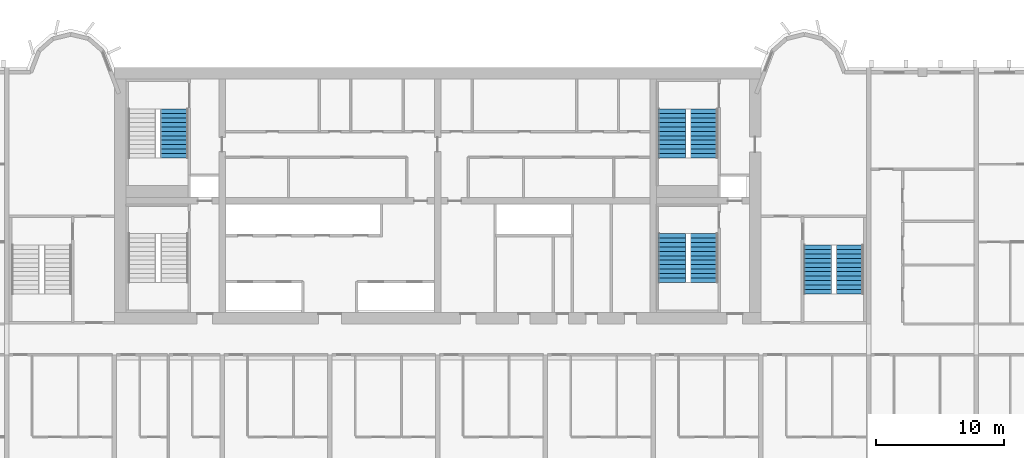
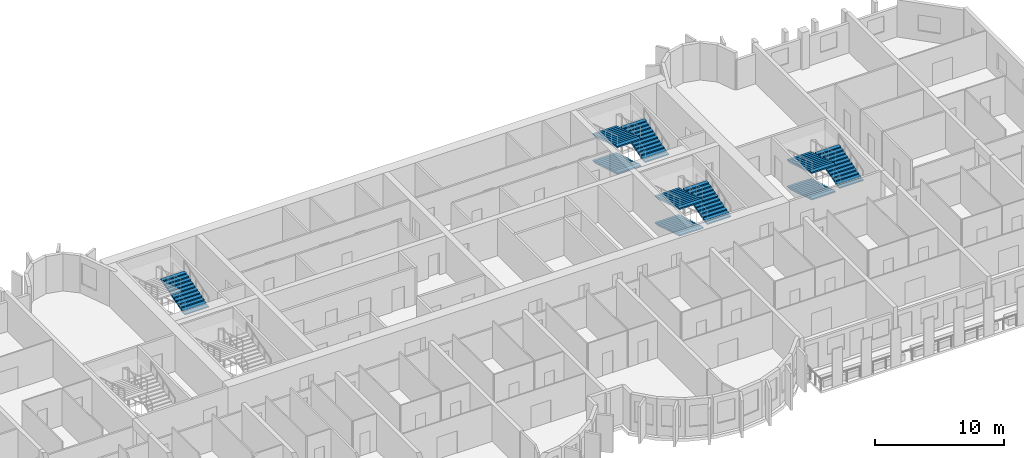
# One storey, part 12 of 15: 10 stair flights, 4 elements without a shape of their own.
"""IFC4 building model written with IfcOpenShell, lengths in metres."""

from ifc_helpers import new_model, si_unit, direction, frame, origin, place, context, subcontext, project, spatial, polyline, outline, extrude, source, transform, mapped, material, type_object, element, aggregate, save


model = new_model("IFC4")

# Units and contexts
model_context = context("Model", 3, precision=1e-05, world=origin(), true_north=direction((0.0, 1.0)))
body_context = subcontext(model_context, "Body", "Model", "MODEL_VIEW")
ifc_project = project(units=[si_unit("LENGTHUNIT", "METRE"), si_unit("AREAUNIT", "SQUARE_METRE"), si_unit("VOLUMEUNIT", "CUBIC_METRE"), si_unit("PLANEANGLEUNIT", "RADIAN"), si_unit("MASSUNIT", "GRAM", prefix="KILO")], contexts=[model_context])

# Site, building, storey
site_placement = place(None, origin())
site = spatial("IfcSite", under=ifc_project, at=site_placement, CompositionType="ELEMENT")
building_placement = place(site_placement, origin())
building = spatial("IfcBuilding", under=site, at=building_placement, Name="Vanashikhar Sky Hotel", CompositionType="ELEMENT")
storey_placement = place(building_placement, frame((0.0, 0.0, 133.199951171875)))
storey = spatial("IfcBuildingStorey", under=building, at=storey_placement, Name="L32", CompositionType="ELEMENT", Elevation=133.199951171875)

# Stair, stair flights
ifc_material = material(Name="Concrete M40", Category="concrete")
stair_type = type_object("IfcStairType", Name="Exit stair 2150", PredefinedType="DOUBLE_RETURN_STAIR", material=ifc_material)
stair_1_placement = place(storey_placement, origin())
stair_1 = element("IfcStair", 1, at=stair_1_placement, inside=storey, type_object=stair_type, Name="L32 Exit stair 2", PredefinedType="DOUBLE_RETURN_STAIR")
stair_flight_type = type_object("IfcStairFlightType", Name="Stair flight 2150", PredefinedType="STRAIGHT", material=ifc_material)
shared_shape = source(origin(), body_context, "Body", "SweptSolid", [
    extrude(outline(polyline([(0.0, 0.0), (0.0, 0.10546875), (0.345458984375, 0.10546875), (0.345458984375, 0.211181640625), (0.69091796875, 0.211181640625), (0.69091796875, 0.316650390625), (1.036376953125, 0.316650390625), (1.036376953125, 0.422119140625), (1.3818359375, 0.422119140625), (1.3818359375, 0.52783203125), (1.727294921875, 0.52783203125), (1.727294921875, 0.63330078125), (2.07275390625, 0.63330078125), (2.07275390625, 0.73876953125), (2.418212890625, 0.73876953125), (2.418212890625, 0.844482421875), (2.763671875, 0.844482421875), (2.763671875, 0.949951171875), (3.109130859375, 0.949951171875), (3.109130859375, 1.0556640625), (3.45458984375, 1.0556640625), (3.45458984375, 1.1611328125), (3.800048828125, 1.1611328125), (3.800048828125, 1.2666015625), (3.800048828125, 1.035400390625), (0.4111328125, 0.0), (0.0, 0.0)])), frame((0.0, 1.074951171875, 0.0), z_axis=(0.0, -1.0, 0.0), x_axis=(1.0, 0.0, 0.0)), (0.0, 0.0, 1.0), 2.14990234375),
])
stair_flight_1_placement = place(storey_placement, frame((68.675048828125, 29.050048828125, 0.0), z_axis=(0.0, 0.0, 1.0), x_axis=(0.0, -1.0, 0.0)))
stair_flight_1 = element("IfcStairFlight", 2, at=stair_flight_1_placement, type_object=stair_flight_type, Name="ST-C2 flight 1", NumberOfRisers=12, NumberOfTreads=11, PredefinedType="STRAIGHT", RiserHeight=0.105555556, TreadLength=0.345454545, context=body_context, shape_type="MappedRepresentation", body=[
    mapped(shared_shape, transform((0.0, 0.0, 0.0), scale=1.0)),
])
stair_flight_2_placement = place(storey_placement, frame((71.175048828125, 25.25, 1.2666015625), z_axis=(0.0, 0.0, 1.0), x_axis=(0.0, 1.0, 0.0)))
stair_flight_2 = element("IfcStairFlight", 3, at=stair_flight_2_placement, type_object=stair_flight_type, Name="ST-C2 flight 2", NumberOfRisers=12, NumberOfTreads=11, PredefinedType="STRAIGHT", RiserHeight=0.105555556, TreadLength=0.345454545, context=body_context, shape_type="MappedRepresentation", body=[
    mapped(shared_shape, transform((0.0, 0.0, 0.0), scale=1.0)),
])
stair_flight_3_placement = place(storey_placement, frame((68.675048828125, 29.050048828125, 2.533447265625), z_axis=(0.0, 0.0, 1.0), x_axis=(0.0, -1.0, 0.0)))
stair_flight_3 = element("IfcStairFlight", 4, at=stair_flight_3_placement, type_object=stair_flight_type, Name="ST-C2 flight 3", NumberOfRisers=12, NumberOfTreads=11, PredefinedType="STRAIGHT", RiserHeight=0.105555556, TreadLength=0.345454545, context=body_context, shape_type="MappedRepresentation", body=[
    mapped(shared_shape, transform((0.0, 0.0, 0.0), scale=1.0)),
])
aggregate(stair_1, [stair_flight_1, stair_flight_2, stair_flight_3])

stair_2_placement = place(storey_placement, origin())
stair_2 = element("IfcStair", 5, at=stair_2_placement, inside=storey, type_object=stair_type, Name="L32 Exit stair 4", PredefinedType="DOUBLE_RETURN_STAIR")
stair_flight_4_placement = place(storey_placement, frame((80.02490234375, 28.14990234375, 0.0), z_axis=(0.0, 0.0, 1.0), x_axis=(0.0, -1.0, 0.0)))
stair_flight_4 = element("IfcStairFlight", 6, at=stair_flight_4_placement, type_object=stair_flight_type, Name="ST-E flight 1", NumberOfRisers=12, NumberOfTreads=11, PredefinedType="STRAIGHT", RiserHeight=0.105555556, TreadLength=0.345454545, context=body_context, shape_type="MappedRepresentation", body=[
    mapped(shared_shape, transform((0.0, 0.0, 0.0), scale=1.0)),
])
stair_flight_5_placement = place(storey_placement, frame((82.52490234375, 24.35009765625, 1.2666015625), z_axis=(0.0, 0.0, 1.0), x_axis=(0.0, 1.0, 0.0)))
stair_flight_5 = element("IfcStairFlight", 7, at=stair_flight_5_placement, type_object=stair_flight_type, Name="ST-E flight 2", NumberOfRisers=12, NumberOfTreads=11, PredefinedType="STRAIGHT", RiserHeight=0.105555556, TreadLength=0.345454545, context=body_context, shape_type="MappedRepresentation", body=[
    mapped(shared_shape, transform((0.0, 0.0, 0.0), scale=1.0)),
])
stair_flight_6_placement = place(storey_placement, frame((80.02490234375, 28.14990234375, 2.533447265625), z_axis=(0.0, 0.0, 1.0), x_axis=(0.0, -1.0, 0.0)))
stair_flight_6 = element("IfcStairFlight", 8, at=stair_flight_6_placement, type_object=stair_flight_type, Name="ST-E flight 3", NumberOfRisers=12, NumberOfTreads=11, PredefinedType="STRAIGHT", RiserHeight=0.105555556, TreadLength=0.345454545, context=body_context, shape_type="MappedRepresentation", body=[
    mapped(shared_shape, transform((0.0, 0.0, 0.0), scale=1.0)),
])
aggregate(stair_2, [stair_flight_4, stair_flight_5, stair_flight_6])

# Stair, stair flight
stair_3_placement = place(storey_placement, origin())
stair_3 = element("IfcStair", 9, at=stair_3_placement, inside=storey, type_object=stair_type, Name="L32 Exit stair 5", PredefinedType="DOUBLE_RETURN_STAIR")
stair_flight_7_placement = place(storey_placement, frame((29.875, 34.949951171875, 1.2666015625), z_axis=(0.0, 0.0, 1.0), x_axis=(0.0, 1.0, 0.0)))
stair_flight_7 = element("IfcStairFlight", 10, at=stair_flight_7_placement, type_object=stair_flight_type, Name="ST-C3 flight 2", NumberOfRisers=12, NumberOfTreads=11, PredefinedType="STRAIGHT", RiserHeight=0.105555556, TreadLength=0.345454545, context=body_context, shape_type="MappedRepresentation", body=[
    mapped(shared_shape, transform((0.0, 0.0, 0.0), scale=1.0)),
])
aggregate(stair_3, [stair_flight_7])

# Stair, stair flights
stair_4_placement = place(storey_placement, origin())
stair_4 = element("IfcStair", 11, at=stair_4_placement, inside=storey, type_object=stair_type, Name="L32 Exit stair 6", PredefinedType="DOUBLE_RETURN_STAIR")
stair_flight_8_placement = place(storey_placement, frame((68.675048828125, 38.75, 0.0), z_axis=(0.0, 0.0, 1.0), x_axis=(0.0, -1.0, 0.0)))
stair_flight_8 = element("IfcStairFlight", 12, at=stair_flight_8_placement, type_object=stair_flight_type, Name="ST-C4 flight 1", NumberOfRisers=12, NumberOfTreads=11, PredefinedType="STRAIGHT", RiserHeight=0.105555556, TreadLength=0.345454545, context=body_context, shape_type="MappedRepresentation", body=[
    mapped(shared_shape, transform((0.0, 0.0, 0.0), scale=1.0)),
])
stair_flight_9_placement = place(storey_placement, frame((71.175048828125, 34.949951171875, 1.2666015625), z_axis=(0.0, 0.0, 1.0), x_axis=(0.0, 1.0, 0.0)))
stair_flight_9 = element("IfcStairFlight", 13, at=stair_flight_9_placement, type_object=stair_flight_type, Name="ST-C4 flight 2", NumberOfRisers=12, NumberOfTreads=11, PredefinedType="STRAIGHT", RiserHeight=0.105555556, TreadLength=0.345454545, context=body_context, shape_type="MappedRepresentation", body=[
    mapped(shared_shape, transform((0.0, 0.0, 0.0), scale=1.0)),
])
stair_flight_10_placement = place(storey_placement, frame((68.675048828125, 38.75, 2.533447265625), z_axis=(0.0, 0.0, 1.0), x_axis=(0.0, -1.0, 0.0)))
stair_flight_10 = element("IfcStairFlight", 14, at=stair_flight_10_placement, type_object=stair_flight_type, Name="ST-C4 flight 3", NumberOfRisers=12, NumberOfTreads=11, PredefinedType="STRAIGHT", RiserHeight=0.105555556, TreadLength=0.345454545, context=body_context, shape_type="MappedRepresentation", body=[
    mapped(shared_shape, transform((0.0, 0.0, 0.0), scale=1.0)),
])
aggregate(stair_4, [stair_flight_8, stair_flight_9, stair_flight_10])

save(model, "model.ifc")
